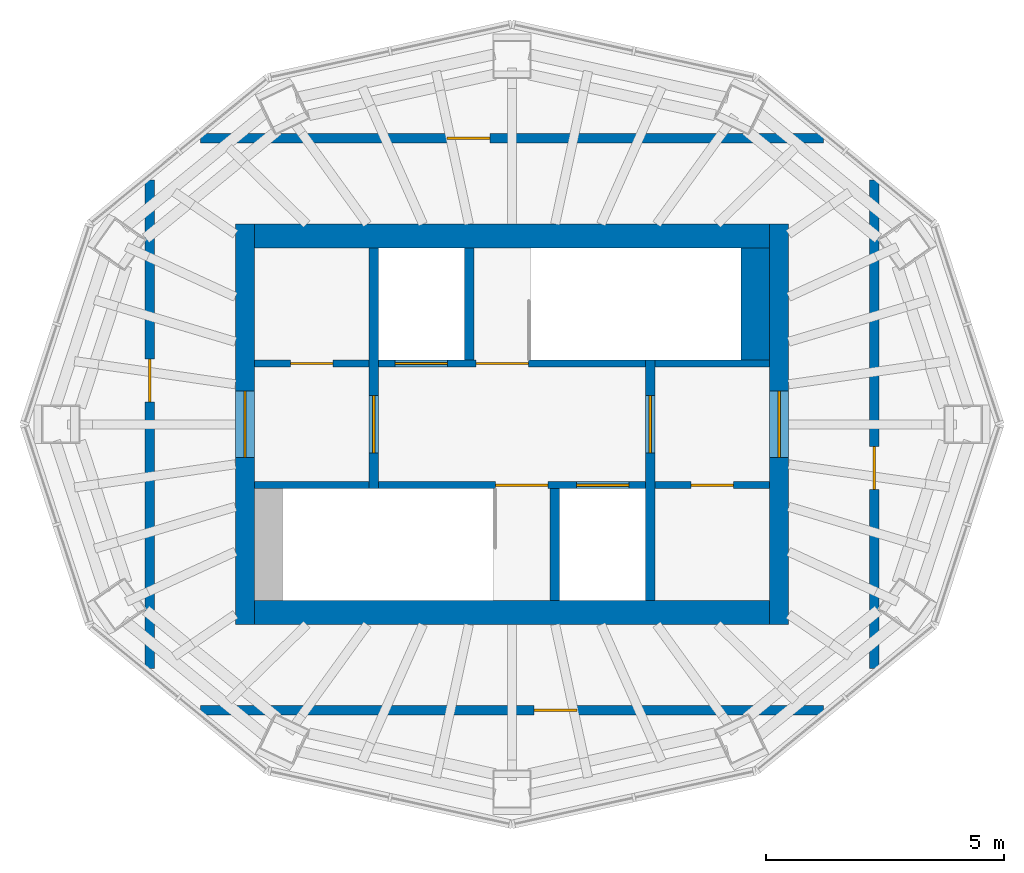
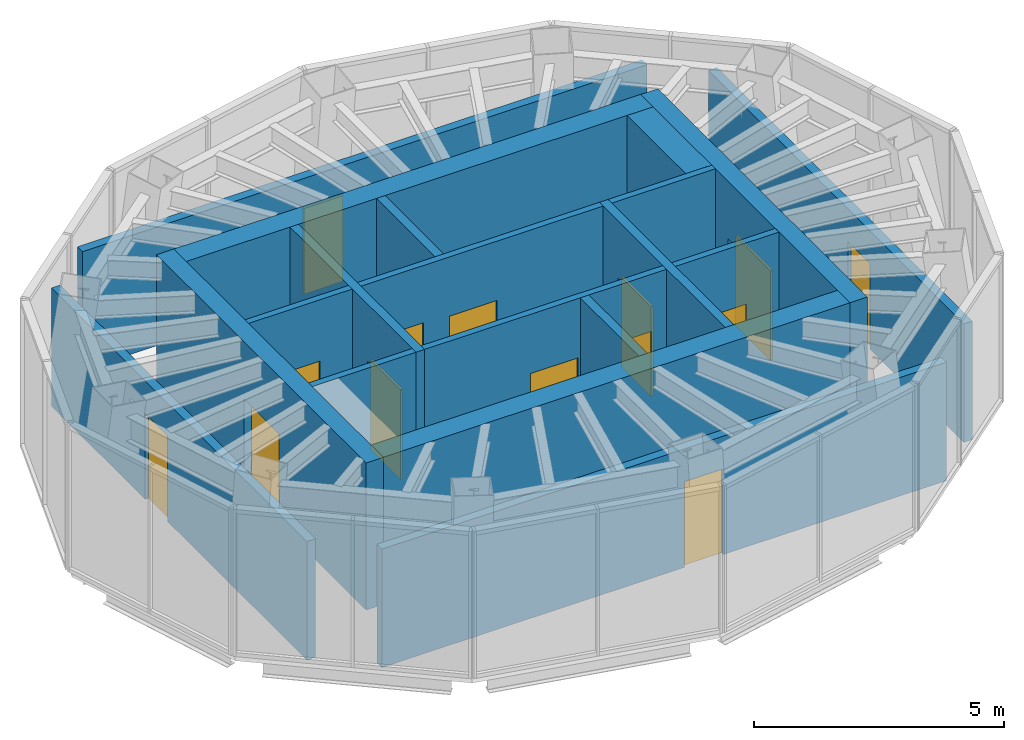
# One storey, part 5 of 6: 19 walls, 14 doors, 14 openings.
"""IFC4 building model written with IfcOpenShell, lengths in metres."""

from ifc_helpers import new_model, si_unit, direction, frame, frame_2d, origin, place, context, subcontext, project, spatial, rectangle, extrude, material, layer, layer_set, type_object, element, fill, save


model = new_model("IFC4")

# Units and contexts
model_context = context("Model", 3, precision=1e-05, world=origin(), true_north=direction((0.0, 1.0)))
body_context = subcontext(model_context, "Body", "Model", "MODEL_VIEW")
ifc_project = project(units=[si_unit("LENGTHUNIT", "METRE"), si_unit("AREAUNIT", "SQUARE_METRE"), si_unit("VOLUMEUNIT", "CUBIC_METRE"), si_unit("PLANEANGLEUNIT", "RADIAN"), si_unit("MASSUNIT", "GRAM", prefix="KILO")], contexts=[model_context])

# Site, building, storey
site_placement = place(None, origin())
site = spatial("IfcSite", under=ifc_project, at=site_placement, CompositionType="ELEMENT")
building_placement = place(site_placement, origin())
building = spatial("IfcBuilding", under=site, at=building_placement, Name="Siaravel Broadcast Tower", CompositionType="ELEMENT")
storey_placement = place(building_placement, frame((0.0, 0.0, 292.10009765625)))
storey = spatial("IfcBuildingStorey", under=building, at=storey_placement, Name="L71", CompositionType="ELEMENT", Elevation=292.10009765625)

# Wall, opening, door
ifc_material_1 = material(Name="Concrete C60/75", Category="concrete")
ifc_layer_1 = layer(ifc_material_1, 0.39990234375)
ifc_layer_set_1 = layer_set([ifc_layer_1], Name="Concrete C60/75")
wall_type_1 = type_object("IfcWallType", Name="Core wall 400", PredefinedType="SHEAR", material=ifc_layer_set_1)
wall_1_placement = place(storey_placement, frame((-5.60009765625, -4.199951171875, 0.0), z_axis=(0.0, 0.0, 1.0), x_axis=(0.0, 1.0, 0.0)))
wall_1 = element("IfcWall", 1, at=wall_1_placement, inside=storey, type_object=wall_type_1, Name="L71 core wall OW", PredefinedType="SHEAR", context=body_context, shape_type="SweptSolid", body=[
    extrude(rectangle(XDim=8.39990234375, YDim=0.39990234375, at=frame_2d((4.199951171875, 0.0))), origin(), (0.0, 0.0, 1.0), 3.599853515625),
])
opening_1_placement = place(wall_1_placement, frame((3.5, 0.0, 0.0)))
opening_1 = element("IfcOpeningElement", 2, at=opening_1_placement, cuts=wall_1, Name="Opening L71-DX-W", PredefinedType="OPENING", context=body_context, shape_type="SweptSolid", body=[
    extrude(rectangle(XDim=1.39990234375, YDim=2.199951171875, at=frame_2d((0.699951171875, 1.10009765625))), frame((0.0, 0.2099609375, 0.0), z_axis=(0.0, -1.0, 0.0), x_axis=(1.0, 0.0, 0.0)), (0.0, 0.0, 1.0), 0.419921875),
])
ifc_material_2 = material(Name="Steel", Category="steel")
door_type_1 = type_object("IfcDoorType", Name="Core exit door 1400", OperationType="DOUBLE_DOOR_SINGLE_SWING", PredefinedType="DOOR", material=ifc_material_2)
door_1_placement = place(opening_1_placement, origin())
door_1 = element("IfcDoor", 3, at=door_1_placement, inside=storey, type_object=door_type_1, Name="L71 door DX-W", OperationType="DOUBLE_DOOR_SINGLE_SWING", OverallHeight=2.199951171875, OverallWidth=1.39990234375, PredefinedType="DOOR", context=body_context, shape_type="SweptSolid", body=[
    extrude(rectangle(XDim=1.39990234375, YDim=2.199951171875, at=frame_2d((0.699951171875, 1.10009765625))), frame((0.0, 0.02490234375, 0.0), z_axis=(0.0, -1.0, 0.0), x_axis=(1.0, 0.0, 0.0)), (0.0, 0.0, 1.0), 0.050048828125),
])
fill(opening_1, door_1)

wall_2_placement = place(storey_placement, frame((5.60009765625, -4.199951171875, 0.0), z_axis=(0.0, 0.0, 1.0), x_axis=(0.0, 1.0, 0.0)))
wall_2 = element("IfcWall", 4, at=wall_2_placement, inside=storey, type_object=wall_type_1, Name="L71 core wall OE", PredefinedType="SHEAR", context=body_context, shape_type="SweptSolid", body=[
    extrude(rectangle(XDim=8.39990234375, YDim=0.39990234375, at=frame_2d((4.199951171875, 0.0))), origin(), (0.0, 0.0, 1.0), 3.599853515625),
])
opening_2_placement = place(wall_2_placement, frame((3.5, 0.0, 0.0)))
opening_2 = element("IfcOpeningElement", 5, at=opening_2_placement, cuts=wall_2, Name="Opening L71-DX-E", PredefinedType="OPENING", context=body_context, shape_type="SweptSolid", body=[
    extrude(rectangle(XDim=1.39990234375, YDim=2.199951171875, at=frame_2d((0.699951171875, 1.10009765625))), frame((0.0, 0.2099609375, 0.0), z_axis=(0.0, -1.0, 0.0), x_axis=(1.0, 0.0, 0.0)), (0.0, 0.0, 1.0), 0.419921875),
])
door_2_placement = place(opening_2_placement, origin())
door_2 = element("IfcDoor", 6, at=door_2_placement, inside=storey, type_object=door_type_1, Name="L71 door DX-E", OperationType="DOUBLE_DOOR_SINGLE_SWING", OverallHeight=2.199951171875, OverallWidth=1.39990234375, PredefinedType="DOOR", context=body_context, shape_type="SweptSolid", body=[
    extrude(rectangle(XDim=1.39990234375, YDim=2.199951171875, at=frame_2d((0.699951171875, 1.10009765625))), frame((0.0, 0.02490234375, 0.0), z_axis=(0.0, -1.0, 0.0), x_axis=(1.0, 0.0, 0.0)), (0.0, 0.0, 1.0), 0.050048828125),
])
fill(opening_2, door_2)

# Walls
ifc_layer_2 = layer(ifc_material_1, 0.5)
ifc_layer_set_2 = layer_set([ifc_layer_2], Name="Concrete C60/75")
wall_type_2 = type_object("IfcWallType", Name="Core wall 500", PredefinedType="SHEAR", material=ifc_layer_set_2)
for number, where, z_axis, x_axis, name in (
    (7, (-5.39990234375, -3.949951171875, 0.0), (0.0, 0.0, 1.0), (1.0, 0.0, 0.0), "L71 core wall OS"),
    (8, (-5.39990234375, 3.949951171875, 0.0), (0.0, 0.0, 1.0), (1.0, 0.0, 0.0), "L71 core wall ON"),
):
    element("IfcWall", number, at=place(storey_placement, frame(where, z_axis=z_axis, x_axis=x_axis)), inside=storey, type_object=wall_type_2, Name=name, PredefinedType="SHEAR", context=body_context, shape_type="SweptSolid", body=[
        extrude(rectangle(XDim=10.7998046875, YDim=0.5, at=frame_2d((5.39990234375, 0.0))), origin(), (0.0, 0.0, 1.0), 3.599853515625),
    ])

# Wall, opening, door
ifc_material_3 = material(Name="Gypsum board partition", Category="gypsum")
ifc_layer_3 = layer(ifc_material_3, 0.14990234375)
ifc_layer_set_3 = layer_set([ifc_layer_3], Name="Gypsum board partition")
wall_type_3 = type_object("IfcWallType", Name="Corridor wall 150", PredefinedType="PARTITIONING", material=ifc_layer_set_3)
wall_3_placement = place(storey_placement, frame((3.0, -1.27490234375, 0.0), z_axis=(0.0, 0.0, 1.0), x_axis=(1.0, 0.0, 0.0)))
wall_3 = element("IfcWall", 9, at=wall_3_placement, inside=storey, type_object=wall_type_3, Name="L71 core partition CSE", PredefinedType="PARTITIONING", context=body_context, shape_type="SweptSolid", body=[
    extrude(rectangle(XDim=2.39990234375, YDim=0.14990234375, at=frame_2d((1.199951171875, 0.0))), origin(), (0.0, 0.0, 1.0), 3.599853515625),
])
opening_3_placement = place(wall_3_placement, frame((0.75, 0.0, 0.0)))
opening_3 = element("IfcOpeningElement", 10, at=opening_3_placement, cuts=wall_3, Name="Opening L71-DCSE", PredefinedType="OPENING", context=body_context, shape_type="SweptSolid", body=[
    extrude(rectangle(XDim=0.89990234375, YDim=2.10009765625, at=frame_2d((0.449951171875, 1.050048828125))), frame((0.0, 0.0849609375, 0.0), z_axis=(0.0, -1.0, 0.0), x_axis=(1.0, 0.0, 0.0)), (0.0, 0.0, 1.0), 0.169921875),
])
ifc_material_4 = material(Name="Timber veneer", Category="wood")
door_type_2 = type_object("IfcDoorType", Name="Core room door 900", OperationType="SINGLE_SWING_LEFT", PredefinedType="DOOR", material=ifc_material_4)
door_3_placement = place(opening_3_placement, origin())
door_3 = element("IfcDoor", 11, at=door_3_placement, inside=storey, type_object=door_type_2, Name="L71 door DCSE", OperationType="SINGLE_SWING_LEFT", OverallHeight=2.10009765625, OverallWidth=0.89990234375, PredefinedType="DOOR", context=body_context, shape_type="SweptSolid", body=[
    extrude(rectangle(XDim=0.89990234375, YDim=2.10009765625, at=frame_2d((0.449951171875, 1.050048828125))), frame((0.0, 0.02490234375, 0.0), z_axis=(0.0, -1.0, 0.0), x_axis=(1.0, 0.0, 0.0)), (0.0, 0.0, 1.0), 0.050048828125),
])
fill(opening_3, door_3)

wall_4_placement = place(storey_placement, frame((-5.39990234375, 1.27490234375, 0.0), z_axis=(0.0, 0.0, 1.0), x_axis=(1.0, 0.0, 0.0)))
wall_4 = element("IfcWall", 12, at=wall_4_placement, inside=storey, type_object=wall_type_3, Name="L71 core partition CNW", PredefinedType="PARTITIONING", context=body_context, shape_type="SweptSolid", body=[
    extrude(rectangle(XDim=2.39990234375, YDim=0.14990234375, at=frame_2d((1.199951171875, 0.0))), origin(), (0.0, 0.0, 1.0), 3.599853515625),
])
opening_4_placement = place(wall_4_placement, frame((0.75, 0.0, 0.0)))
opening_4 = element("IfcOpeningElement", 13, at=opening_4_placement, cuts=wall_4, Name="Opening L71-DCNW", PredefinedType="OPENING", context=body_context, shape_type="SweptSolid", body=[
    extrude(rectangle(XDim=0.89990234375, YDim=2.10009765625, at=frame_2d((0.449951171875, 1.050048828125))), frame((0.0, 0.0849609375, 0.0), z_axis=(0.0, -1.0, 0.0), x_axis=(1.0, 0.0, 0.0)), (0.0, 0.0, 1.0), 0.169921875),
])
door_4_placement = place(opening_4_placement, origin())
door_4 = element("IfcDoor", 14, at=door_4_placement, inside=storey, type_object=door_type_2, Name="L71 door DCNW", OperationType="SINGLE_SWING_LEFT", OverallHeight=2.10009765625, OverallWidth=0.89990234375, PredefinedType="DOOR", context=body_context, shape_type="SweptSolid", body=[
    extrude(rectangle(XDim=0.89990234375, YDim=2.10009765625, at=frame_2d((0.449951171875, 1.050048828125))), frame((0.0, 0.02490234375, 0.0), z_axis=(0.0, -1.0, 0.0), x_axis=(1.0, 0.0, 0.0)), (0.0, 0.0, 1.0), 0.050048828125),
])
fill(opening_4, door_4)

ifc_material_5 = material(Name="Concrete blockwork", Category="masonry")
ifc_layer_4 = layer(ifc_material_5, 0.199951171875)
ifc_layer_set_4 = layer_set([ifc_layer_4], Name="Concrete blockwork")
wall_type_4 = type_object("IfcWallType", Name="Plant room wall 200", PredefinedType="PARTITIONING", material=ifc_layer_set_4)
wall_5_placement = place(storey_placement, frame((-6.53369140625, -6.0, 0.0), z_axis=(0.0, 0.0, 1.0), x_axis=(1.0, 0.0, 0.0)))
wall_5 = element("IfcWall", 15, at=wall_5_placement, inside=storey, type_object=wall_type_4, Name="L71 partition 1", PredefinedType="PARTITIONING", context=body_context, shape_type="SweptSolid", body=[
    extrude(rectangle(XDim=13.0673828125, YDim=0.199951171875, at=frame_2d((6.53369140625, 0.0))), origin(), (0.0, 0.0, 1.0), 2.89990234375),
])
opening_5_placement = place(wall_5_placement, frame((7.0, 0.0, 0.0)))
opening_5 = element("IfcOpeningElement", 16, at=opening_5_placement, cuts=wall_5, Name="Opening L71-004", PredefinedType="OPENING", context=body_context, shape_type="SweptSolid", body=[
    extrude(rectangle(XDim=0.89990234375, YDim=2.10009765625, at=frame_2d((0.449951171875, 1.050048828125))), frame((0.0, 0.10986328125, 0.0), z_axis=(0.0, -1.0, 0.0), x_axis=(1.0, 0.0, 0.0)), (0.0, 0.0, 1.0), 0.219970703125),
])
door_type_3 = type_object("IfcDoorType", Name="Plant room door 900", OperationType="SINGLE_SWING_LEFT", PredefinedType="DOOR", material=ifc_material_2)
door_5_placement = place(opening_5_placement, origin())
door_5 = element("IfcDoor", 17, at=door_5_placement, inside=storey, type_object=door_type_3, Name="L71 door to Antenna equipment plant room", OperationType="SINGLE_SWING_RIGHT", OverallHeight=2.10009765625, OverallWidth=0.89990234375, PredefinedType="DOOR", context=body_context, shape_type="SweptSolid", body=[
    extrude(rectangle(XDim=0.89990234375, YDim=2.10009765625, at=frame_2d((0.449951171875, 1.050048828125))), frame((0.0, 0.02490234375, 0.0), z_axis=(0.0, -1.0, 0.0), x_axis=(1.0, 0.0, 0.0)), (0.0, 0.0, 1.0), 0.050048828125),
])
fill(opening_5, door_5)

wall_6_placement = place(storey_placement, frame((6.53369140625, 6.0, 0.0), z_axis=(0.0, 0.0, 1.0), x_axis=(-1.0, 0.0, 0.0)))
wall_6 = element("IfcWall", 18, at=wall_6_placement, inside=storey, type_object=wall_type_4, Name="L71 partition 2", PredefinedType="PARTITIONING", context=body_context, shape_type="SweptSolid", body=[
    extrude(rectangle(XDim=13.067138671875, YDim=0.199951171875, at=frame_2d((6.53369140625, 0.0))), origin(), (0.0, 0.0, 1.0), 2.89990234375),
])
opening_6_placement = place(wall_6_placement, frame((7.0, 0.0, 0.0)))
opening_6 = element("IfcOpeningElement", 19, at=opening_6_placement, cuts=wall_6, Name="Opening L71-003", PredefinedType="OPENING", context=body_context, shape_type="SweptSolid", body=[
    extrude(rectangle(XDim=0.89990234375, YDim=2.10009765625, at=frame_2d((0.449951171875, 1.050048828125))), frame((0.0, 0.10986328125, 0.0), z_axis=(0.0, -1.0, 0.0), x_axis=(1.0, 0.0, 0.0)), (0.0, 0.0, 1.0), 0.219970703125),
])
door_6_placement = place(opening_6_placement, origin())
door_6 = element("IfcDoor", 20, at=door_6_placement, inside=storey, type_object=door_type_3, Name="L71 door to Electrical plant room", OperationType="SINGLE_SWING_LEFT", OverallHeight=2.10009765625, OverallWidth=0.89990234375, PredefinedType="DOOR", context=body_context, shape_type="SweptSolid", body=[
    extrude(rectangle(XDim=0.89990234375, YDim=2.10009765625, at=frame_2d((0.449951171875, 1.050048828125))), frame((0.0, 0.02490234375, 0.0), z_axis=(0.0, -1.0, 0.0), x_axis=(1.0, 0.0, 0.0)), (0.0, 0.0, 1.0), 0.050048828125),
])
fill(opening_6, door_6)

wall_7_placement = place(storey_placement, frame((7.60009765625, -5.117431640625, 0.0), z_axis=(0.0, 0.0, 1.0), x_axis=(0.0, 1.0, 0.0)))
wall_7 = element("IfcWall", 21, at=wall_7_placement, inside=storey, type_object=wall_type_4, Name="L71 partition 3", PredefinedType="PARTITIONING", context=body_context, shape_type="SweptSolid", body=[
    extrude(rectangle(XDim=10.23486328125, YDim=0.199951171875, at=frame_2d((5.117431640625, 0.0))), origin(), (0.0, 0.0, 1.0), 2.89990234375),
])
opening_7_placement = place(wall_7_placement, frame((3.75, 0.0, 0.0)))
opening_7 = element("IfcOpeningElement", 22, at=opening_7_placement, cuts=wall_7, Name="Opening L71-002", PredefinedType="OPENING", context=body_context, shape_type="SweptSolid", body=[
    extrude(rectangle(XDim=0.89990234375, YDim=2.10009765625, at=frame_2d((0.449951171875, 1.050048828125))), frame((0.0, 0.10986328125, 0.0), z_axis=(0.0, -1.0, 0.0), x_axis=(1.0, 0.0, 0.0)), (0.0, 0.0, 1.0), 0.219970703125),
])
door_7_placement = place(opening_7_placement, origin())
door_7 = element("IfcDoor", 23, at=door_7_placement, inside=storey, type_object=door_type_3, Name="L71 door to Pump room", OperationType="SINGLE_SWING_RIGHT", OverallHeight=2.10009765625, OverallWidth=0.89990234375, PredefinedType="DOOR", context=body_context, shape_type="SweptSolid", body=[
    extrude(rectangle(XDim=0.89990234375, YDim=2.10009765625, at=frame_2d((0.449951171875, 1.050048828125))), frame((0.0, 0.02490234375, 0.0), z_axis=(0.0, -1.0, 0.0), x_axis=(1.0, 0.0, 0.0)), (0.0, 0.0, 1.0), 0.050048828125),
])
fill(opening_7, door_7)

wall_8_placement = place(storey_placement, frame((-7.60009765625, 5.117431640625, 0.0), z_axis=(0.0, 0.0, 1.0), x_axis=(0.0, -1.0, 0.0)))
wall_8 = element("IfcWall", 24, at=wall_8_placement, inside=storey, type_object=wall_type_4, Name="L71 partition 4", PredefinedType="PARTITIONING", context=body_context, shape_type="SweptSolid", body=[
    extrude(rectangle(XDim=10.23486328125, YDim=0.199951171875, at=frame_2d((5.117431640625, 0.0))), origin(), (0.0, 0.0, 1.0), 2.89990234375),
])
opening_8_placement = place(wall_8_placement, frame((3.75, 0.0, 0.0)))
opening_8 = element("IfcOpeningElement", 25, at=opening_8_placement, cuts=wall_8, Name="Opening L71-001", PredefinedType="OPENING", context=body_context, shape_type="SweptSolid", body=[
    extrude(rectangle(XDim=0.89990234375, YDim=2.10009765625, at=frame_2d((0.449951171875, 1.050048828125))), frame((0.0, 0.10986328125, 0.0), z_axis=(0.0, -1.0, 0.0), x_axis=(1.0, 0.0, 0.0)), (0.0, 0.0, 1.0), 0.219970703125),
])
door_8_placement = place(opening_8_placement, origin())
door_8 = element("IfcDoor", 26, at=door_8_placement, inside=storey, type_object=door_type_3, Name="L71 door to Mechanical plant room", OperationType="SINGLE_SWING_LEFT", OverallHeight=2.10009765625, OverallWidth=0.89990234375, PredefinedType="DOOR", context=body_context, shape_type="SweptSolid", body=[
    extrude(rectangle(XDim=0.89990234375, YDim=2.10009765625, at=frame_2d((0.449951171875, 1.050048828125))), frame((0.0, 0.02490234375, 0.0), z_axis=(0.0, -1.0, 0.0), x_axis=(1.0, 0.0, 0.0)), (0.0, 0.0, 1.0), 0.050048828125),
])
fill(opening_8, door_8)

# Wall
ifc_layer_5 = layer(ifc_material_1, 0.14990234375)
ifc_layer_set_5 = layer_set([ifc_layer_5], Name="Concrete C60/75")
wall_type_5 = type_object("IfcWallType", Name="Shaft wall 150", PredefinedType="SHEAR", material=ifc_layer_set_5)
wall_9_placement = place(storey_placement, frame((-5.39990234375, -1.27490234375, 0.0), z_axis=(0.0, 0.0, 1.0), x_axis=(1.0, 0.0, 0.0)))
element("IfcWall", 27, at=wall_9_placement, inside=storey, type_object=wall_type_5, Name="L71 core wall CSW", PredefinedType="SHEAR", context=body_context, shape_type="SweptSolid", body=[
    extrude(rectangle(XDim=2.39990234375, YDim=0.14990234375, at=frame_2d((1.199951171875, 0.0))), origin(), (0.0, 0.0, 1.0), 3.599853515625),
])

# Wall, openings, doors
wall_10_placement = place(storey_placement, frame((-2.800048828125, -1.27490234375, 0.0), z_axis=(0.0, 0.0, 1.0), x_axis=(1.0, 0.0, 0.0)))
wall_10 = element("IfcWall", 28, at=wall_10_placement, inside=storey, type_object=wall_type_5, Name="L71 core wall CSM", PredefinedType="SHEAR", context=body_context, shape_type="SweptSolid", body=[
    extrude(rectangle(XDim=5.60009765625, YDim=0.14990234375, at=frame_2d((2.800048828125, 0.0))), origin(), (0.0, 0.0, 1.0), 3.599853515625),
])
opening_9_placement = place(wall_10_placement, frame((4.14990234375, 0.0, 0.0)))
opening_9 = element("IfcOpeningElement", 29, at=opening_9_placement, cuts=wall_10, Name="Opening LD-FL2-L71", PredefinedType="OPENING", context=body_context, shape_type="SweptSolid", body=[
    extrude(rectangle(XDim=1.10009765625, YDim=2.199951171875, at=frame_2d((0.550048828125, 1.10009765625))), frame((0.0, 0.0849609375, 0.0), z_axis=(0.0, -1.0, 0.0), x_axis=(1.0, 0.0, 0.0)), (0.0, 0.0, 1.0), 0.169921875),
])
opening_10_placement = place(wall_10_placement, frame((2.449951171875, 0.0, 0.0)))
opening_10 = element("IfcOpeningElement", 30, at=opening_10_placement, cuts=wall_10, Name="Opening L71-DS-C2", PredefinedType="OPENING", context=body_context, shape_type="SweptSolid", body=[
    extrude(rectangle(XDim=1.10009765625, YDim=2.14990234375, at=frame_2d((0.550048828125, 1.074951171875))), frame((0.0, 0.0849609375, 0.0), z_axis=(0.0, -1.0, 0.0), x_axis=(1.0, 0.0, 0.0)), (0.0, 0.0, 1.0), 0.169921875),
])
ifc_material_6 = material(Name="Stainless steel 316L", Category="steel")
door_type_4 = type_object("IfcDoorType", Name="Firefighting lift landing door 1100", OperationType="DOUBLE_DOOR_SLIDING", PredefinedType="DOOR", material=ifc_material_6)
door_9_placement = place(opening_9_placement, origin())
door_9 = element("IfcDoor", 31, at=door_9_placement, inside=storey, type_object=door_type_4, Name="Landing door FL2 L71", OperationType="DOUBLE_DOOR_SLIDING", OverallHeight=2.199951171875, OverallWidth=1.10009765625, PredefinedType="DOOR", context=body_context, shape_type="SweptSolid", body=[
    extrude(rectangle(XDim=1.10009765625, YDim=2.199951171875, at=frame_2d((0.550048828125, 1.10009765625))), frame((0.0, 0.02490234375, 0.0), z_axis=(0.0, -1.0, 0.0), x_axis=(1.0, 0.0, 0.0)), (0.0, 0.0, 1.0), 0.050048828125),
])
fill(opening_9, door_9)
door_type_5 = type_object("IfcDoorType", Name="Stair door 1100", OperationType="SINGLE_SWING_LEFT", PredefinedType="DOOR", material=ifc_material_2)
door_10_placement = place(opening_10_placement, origin())
door_10 = element("IfcDoor", 32, at=door_10_placement, inside=storey, type_object=door_type_5, Name="L71 door DS-C2", OperationType="SINGLE_SWING_LEFT", OverallHeight=2.14990234375, OverallWidth=1.10009765625, PredefinedType="DOOR", context=body_context, shape_type="SweptSolid", body=[
    extrude(rectangle(XDim=1.10009765625, YDim=2.14990234375, at=frame_2d((0.550048828125, 1.074951171875))), frame((0.0, 0.02490234375, 0.0), z_axis=(0.0, -1.0, 0.0), x_axis=(1.0, 0.0, 0.0)), (0.0, 0.0, 1.0), 0.050048828125),
])
fill(opening_10, door_10)

wall_11_placement = place(storey_placement, frame((-2.800048828125, 1.27490234375, 0.0), z_axis=(0.0, 0.0, 1.0), x_axis=(1.0, 0.0, 0.0)))
wall_11 = element("IfcWall", 33, at=wall_11_placement, inside=storey, type_object=wall_type_5, Name="L71 core wall CNM", PredefinedType="SHEAR", context=body_context, shape_type="SweptSolid", body=[
    extrude(rectangle(XDim=5.60009765625, YDim=0.14990234375, at=frame_2d((2.800048828125, 0.0))), origin(), (0.0, 0.0, 1.0), 3.599853515625),
])
opening_11_placement = place(wall_11_placement, frame((0.35009765625, 0.0, 0.0)))
opening_11 = element("IfcOpeningElement", 34, at=opening_11_placement, cuts=wall_11, Name="Opening LD-FL1-L71", PredefinedType="OPENING", context=body_context, shape_type="SweptSolid", body=[
    extrude(rectangle(XDim=1.10009765625, YDim=2.199951171875, at=frame_2d((0.550048828125, 1.10009765625))), frame((0.0, 0.0849609375, 0.0), z_axis=(0.0, -1.0, 0.0), x_axis=(1.0, 0.0, 0.0)), (0.0, 0.0, 1.0), 0.169921875),
])
opening_12_placement = place(wall_11_placement, frame((2.050048828125, 0.0, 0.0)))
opening_12 = element("IfcOpeningElement", 35, at=opening_12_placement, cuts=wall_11, Name="Opening L71-DS-C1", PredefinedType="OPENING", context=body_context, shape_type="SweptSolid", body=[
    extrude(rectangle(XDim=1.10009765625, YDim=2.14990234375, at=frame_2d((0.550048828125, 1.074951171875))), frame((0.0, 0.0849609375, 0.0), z_axis=(0.0, -1.0, 0.0), x_axis=(1.0, 0.0, 0.0)), (0.0, 0.0, 1.0), 0.169921875),
])
door_11_placement = place(opening_11_placement, origin())
door_11 = element("IfcDoor", 36, at=door_11_placement, inside=storey, type_object=door_type_4, Name="Landing door FL1 L71", OperationType="DOUBLE_DOOR_SLIDING", OverallHeight=2.199951171875, OverallWidth=1.10009765625, PredefinedType="DOOR", context=body_context, shape_type="SweptSolid", body=[
    extrude(rectangle(XDim=1.10009765625, YDim=2.199951171875, at=frame_2d((0.550048828125, 1.10009765625))), frame((0.0, 0.02490234375, 0.0), z_axis=(0.0, -1.0, 0.0), x_axis=(1.0, 0.0, 0.0)), (0.0, 0.0, 1.0), 0.050048828125),
])
fill(opening_11, door_11)
door_12_placement = place(opening_12_placement, origin())
door_12 = element("IfcDoor", 37, at=door_12_placement, inside=storey, type_object=door_type_5, Name="L71 door DS-C1", OperationType="SINGLE_SWING_LEFT", OverallHeight=2.14990234375, OverallWidth=1.10009765625, PredefinedType="DOOR", context=body_context, shape_type="SweptSolid", body=[
    extrude(rectangle(XDim=1.10009765625, YDim=2.14990234375, at=frame_2d((0.550048828125, 1.074951171875))), frame((0.0, 0.02490234375, 0.0), z_axis=(0.0, -1.0, 0.0), x_axis=(1.0, 0.0, 0.0)), (0.0, 0.0, 1.0), 0.050048828125),
])
fill(opening_12, door_12)

# Wall
wall_12_placement = place(storey_placement, frame((3.0, 1.27490234375, 0.0), z_axis=(0.0, 0.0, 1.0), x_axis=(1.0, 0.0, 0.0)))
element("IfcWall", 38, at=wall_12_placement, inside=storey, type_object=wall_type_5, Name="L71 core wall CNE", PredefinedType="SHEAR", context=body_context, shape_type="SweptSolid", body=[
    extrude(rectangle(XDim=2.39990234375, YDim=0.14990234375, at=frame_2d((1.199951171875, 0.0))), origin(), (0.0, 0.0, 1.0), 3.599853515625),
])

# Wall, opening, door
ifc_layer_6 = layer(ifc_material_1, 0.199951171875)
ifc_layer_set_6 = layer_set([ifc_layer_6], Name="Concrete C60/75")
wall_type_6 = type_object("IfcWallType", Name="Shaft wall 200", PredefinedType="SHEAR", material=ifc_layer_set_6)
wall_13_placement = place(storey_placement, frame((-2.89990234375, -1.35009765625, 0.0), z_axis=(0.0, 0.0, 1.0), x_axis=(0.0, 1.0, 0.0)))
wall_13 = element("IfcWall", 39, at=wall_13_placement, inside=storey, type_object=wall_type_6, Name="L71 core wall LW", PredefinedType="SHEAR", context=body_context, shape_type="SweptSolid", body=[
    extrude(rectangle(XDim=5.050048828125, YDim=0.199951171875, at=frame_2d((2.52490234375, 0.0))), origin(), (0.0, 0.0, 1.0), 3.599853515625),
])
opening_13_placement = place(wall_13_placement, frame((0.75, 0.0, 0.0)))
opening_13 = element("IfcOpeningElement", 40, at=opening_13_placement, cuts=wall_13, Name="Opening L71-DL-W", PredefinedType="OPENING", context=body_context, shape_type="SweptSolid", body=[
    extrude(rectangle(XDim=1.199951171875, YDim=2.199951171875, at=frame_2d((0.60009765625, 1.10009765625))), frame((0.0, 0.10986328125, 0.0), z_axis=(0.0, -1.0, 0.0), x_axis=(1.0, 0.0, 0.0)), (0.0, 0.0, 1.0), 0.219970703125),
])
door_type_6 = type_object("IfcDoorType", Name="Firefighting lobby door 1200", OperationType="SINGLE_SWING_LEFT", PredefinedType="DOOR", material=ifc_material_2)
door_13_placement = place(opening_13_placement, origin())
door_13 = element("IfcDoor", 41, at=door_13_placement, inside=storey, type_object=door_type_6, Name="L71 door DL-W", OperationType="SINGLE_SWING_LEFT", OverallHeight=2.199951171875, OverallWidth=1.199951171875, PredefinedType="DOOR", context=body_context, shape_type="SweptSolid", body=[
    extrude(rectangle(XDim=1.199951171875, YDim=2.199951171875, at=frame_2d((0.60009765625, 1.10009765625))), frame((0.0, 0.02490234375, 0.0), z_axis=(0.0, -1.0, 0.0), x_axis=(1.0, 0.0, 0.0)), (0.0, 0.0, 1.0), 0.050048828125),
])
fill(opening_13, door_13)

wall_14_placement = place(storey_placement, frame((2.89990234375, -3.699951171875, 0.0), z_axis=(0.0, 0.0, 1.0), x_axis=(0.0, 1.0, 0.0)))
wall_14 = element("IfcWall", 42, at=wall_14_placement, inside=storey, type_object=wall_type_6, Name="L71 core wall LE", PredefinedType="SHEAR", context=body_context, shape_type="SweptSolid", body=[
    extrude(rectangle(XDim=5.050048828125, YDim=0.199951171875, at=frame_2d((2.52490234375, 0.0))), origin(), (0.0, 0.0, 1.0), 3.599853515625),
])
opening_14_placement = place(wall_14_placement, frame((3.10009765625, 0.0, 0.0)))
opening_14 = element("IfcOpeningElement", 43, at=opening_14_placement, cuts=wall_14, Name="Opening L71-DL-E", PredefinedType="OPENING", context=body_context, shape_type="SweptSolid", body=[
    extrude(rectangle(XDim=1.199951171875, YDim=2.199951171875, at=frame_2d((0.60009765625, 1.10009765625))), frame((0.0, 0.10986328125, 0.0), z_axis=(0.0, -1.0, 0.0), x_axis=(1.0, 0.0, 0.0)), (0.0, 0.0, 1.0), 0.219970703125),
])
door_14_placement = place(opening_14_placement, origin())
door_14 = element("IfcDoor", 44, at=door_14_placement, inside=storey, type_object=door_type_6, Name="L71 door DL-E", OperationType="SINGLE_SWING_LEFT", OverallHeight=2.199951171875, OverallWidth=1.199951171875, PredefinedType="DOOR", context=body_context, shape_type="SweptSolid", body=[
    extrude(rectangle(XDim=1.199951171875, YDim=2.199951171875, at=frame_2d((0.60009765625, 1.10009765625))), frame((0.0, 0.02490234375, 0.0), z_axis=(0.0, -1.0, 0.0), x_axis=(1.0, 0.0, 0.0)), (0.0, 0.0, 1.0), 0.050048828125),
])
fill(opening_14, door_14)

# Walls
for number, where, z_axis, x_axis, name in (
    (45, (-0.89990234375, 1.35009765625, 0.0), (0.0, 0.0, 1.0), (0.0, 1.0, 0.0), "L71 core wall FF1E"),
    (46, (0.89990234375, -3.699951171875, 0.0), (0.0, 0.0, 1.0), (0.0, 1.0, 0.0), "L71 core wall FF2W"),
):
    element("IfcWall", number, at=place(storey_placement, frame(where, z_axis=z_axis, x_axis=x_axis)), inside=storey, type_object=wall_type_6, Name=name, PredefinedType="SHEAR", context=body_context, shape_type="SweptSolid", body=[
        extrude(rectangle(XDim=2.349853515625, YDim=0.199951171875, at=frame_2d((1.1748046875, 0.0))), origin(), (0.0, 0.0, 1.0), 3.599853515625),
    ])
ifc_layer_7 = layer(ifc_material_1, 0.60009765625)
ifc_layer_set_7 = layer_set([ifc_layer_7], Name="Concrete C60/75")
wall_type_7 = type_object("IfcWallType", Name="Shaft wall 600", PredefinedType="SHEAR", material=ifc_layer_set_7)
wall_15_placement = place(storey_placement, frame((5.10009765625, 1.35009765625, 0.0), z_axis=(0.0, 0.0, 1.0), x_axis=(0.0, 1.0, 0.0)))
element("IfcWall", 47, at=wall_15_placement, inside=storey, type_object=wall_type_7, Name="L71 core wall STCE", PredefinedType="SHEAR", context=body_context, shape_type="SweptSolid", body=[
    extrude(rectangle(XDim=2.349853515625, YDim=0.60009765625, at=frame_2d((1.1748046875, 0.0))), origin(), (0.0, 0.0, 1.0), 3.599853515625),
])

save(model, "model.ifc")
